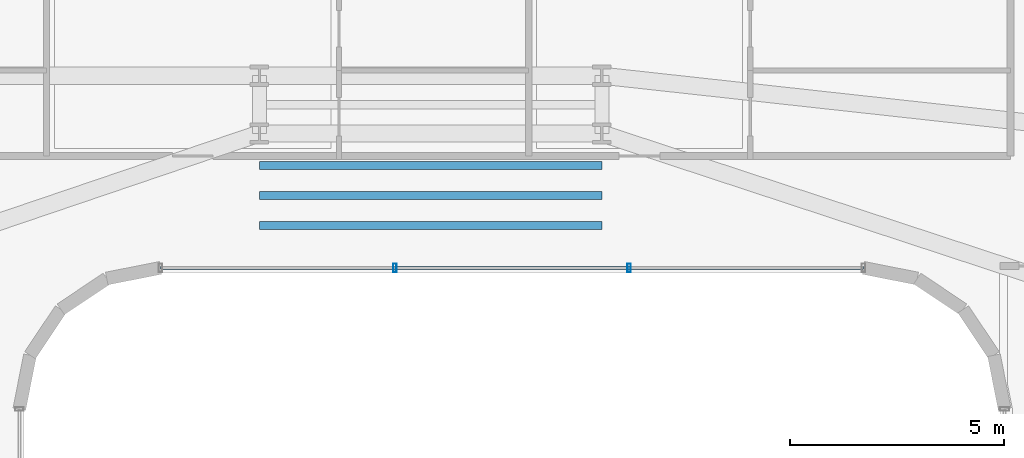
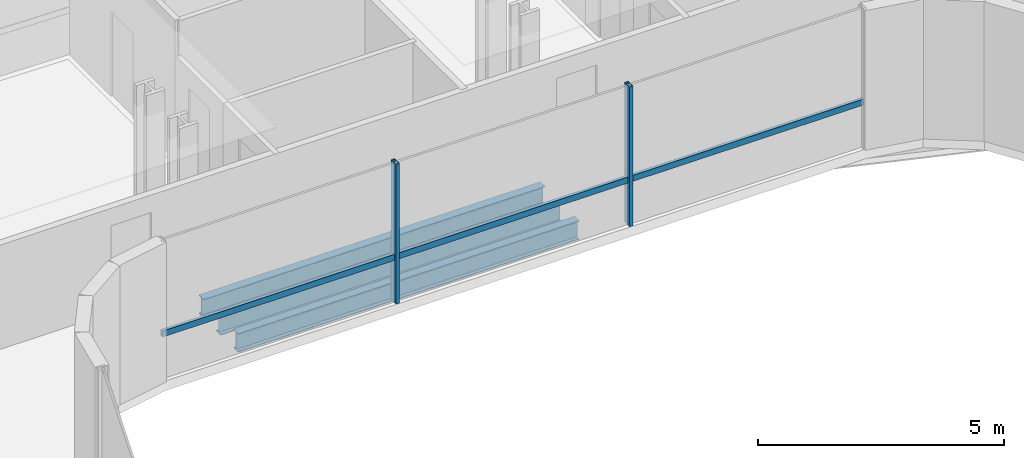
# One storey, part 16 of 42: 3 beams, 3 members, 1 element without a shape of its own.
"""IFC4 building model written with IfcOpenShell, lengths in metres."""

from ifc_helpers import new_model, si_unit, direction, frame, origin, origin_2d, place, context, subcontext, project, spatial, hollow_rectangle, i_section, extrude, source, transform, mapped, material, material_profile, profile_set, type_object, element, aggregate, save


model = new_model("IFC4")

# Units and contexts
model_context = context("Model", 3, precision=1e-05, world=origin(), true_north=direction((0.0, 1.0)))
body_context = subcontext(model_context, "Body", "Model", "MODEL_VIEW")
ifc_project = project(units=[si_unit("LENGTHUNIT", "METRE"), si_unit("AREAUNIT", "SQUARE_METRE"), si_unit("VOLUMEUNIT", "CUBIC_METRE"), si_unit("PLANEANGLEUNIT", "RADIAN"), si_unit("MASSUNIT", "GRAM", prefix="KILO")], contexts=[model_context])

# Site, building, storey
site_placement = place(None, origin())
site = spatial("IfcSite", under=ifc_project, at=site_placement, CompositionType="ELEMENT")
building_placement = place(site_placement, origin())
building = spatial("IfcBuilding", under=site, at=building_placement, Name="Valdorenza Pilgrim Sanctuary Tower", CompositionType="ELEMENT")
storey_placement = place(building_placement, frame((0.0, 0.0, 55.60009765625)))
storey = spatial("IfcBuildingStorey", under=building, at=storey_placement, Name="L13", CompositionType="ELEMENT", Elevation=55.60009765625)

# Beams
ifc_material_1 = material(Name="Steel ASTM A992 Grade 50", Category="steel")
ifc_material_profile_1 = material_profile(ifc_material_1, i_section(OverallWidth=0.193115234375, OverallDepth=0.466064453125, WebThickness=0.011474609375, FlangeThickness=0.01904296875, at=origin_2d()), Name="W18X65")
ifc_profile_set_1 = profile_set([ifc_material_profile_1], Name="Steel ASTM A992 Grade 50")
beam_type = type_object("IfcBeamType", Name="STR-BM-JST-W18A", PredefinedType="JOIST", material=ifc_profile_set_1)
shared_shape_1 = source(origin(), body_context, "Body", "SweptSolid", [
    extrude(i_section(OverallWidth=0.193115234375, OverallDepth=0.466064453125, WebThickness=0.011474609375, FlangeThickness=0.01904296875, at=origin_2d()), origin(), (0.0, 0.0, 1.0), 8.0),
])
for number, where, z_axis, x_axis, name in (
    (1, (-4.0, 11.300048828125, -0.47314453125), (1.0, 0.0, 0.0), (0.0, 1.0, 0.0), "L13 Knuckle Composite Joist JST-KNK-1"),
    (2, (-4.0, 12.0, -0.47314453125), (1.0, 0.0, 0.0), (0.0, 1.0, 0.0), "L13 Knuckle Composite Joist JST-KNK-2"),
    (3, (-4.0, 12.699951171875, -0.47314453125), (1.0, 0.0, 0.0), (0.0, 1.0, 0.0), "L13 Knuckle Composite Joist JST-KNK-3"),
):
    element("IfcBeam", number, at=place(storey_placement, frame(where, z_axis=z_axis, x_axis=x_axis)), inside=storey, type_object=beam_type, Name=name, PredefinedType="JOIST", context=body_context, shape_type="MappedRepresentation", body=[
        mapped(shared_shape_1, transform((0.0, 0.0, 0.0), x_axis=(1.0, 0.0, 0.0), y_axis=(0.0, 1.0, 0.0), z_axis=(0.0, 0.0, 1.0), scale=1.0)),
    ])

# Curtain wall, members
ifc_material_2 = material(Name="Curtain-wall IGU glazing", Category="glass")
curtain_wall_type = type_object("IfcCurtainWallType", Name="CW-SYS-02", PredefinedType="NOTDEFINED", material=ifc_material_2)
curtain_wall_placement = place(storey_placement, origin())
curtain_wall = element("IfcCurtainWall", 4, at=curtain_wall_placement, inside=storey, type_object=curtain_wall_type, Name="L13 Curtain Wall CW-L13-1-36", PredefinedType="NOTDEFINED")
ifc_material_3 = material(Name="Anodised aluminium AW-6060", Category="aluminium")
ifc_material_profile_2 = material_profile(ifc_material_3, hollow_rectangle(XDim=0.0849609375, YDim=0.199951171875, WallThickness=0.0048828125, at=origin_2d()), Name="ALU-M 200x85x5")
ifc_profile_set_2 = profile_set([ifc_material_profile_2], Name="Anodised aluminium AW-6060")
member_type_1 = type_object("IfcMemberType", Name="CW-MUL-02", PredefinedType="MULLION", material=ifc_profile_set_2)
shared_shape_2 = source(origin(), body_context, "Body", "SweptSolid", [
    extrude(hollow_rectangle(XDim=0.0849609375, YDim=0.199951171875, WallThickness=0.0048828125, at=origin_2d()), origin(), (0.0, 0.0, 1.0), 3.4599609375),
])
member_1_placement = place(storey_placement, frame((4.636962890625, 10.31005859375, 0.0), z_axis=(0.0, 0.0, 1.0), x_axis=(-1.0, 0.0, 0.0)))
member_1 = element("IfcMember", 5, at=member_1_placement, type_object=member_type_1, Name="CW-L13-1-36 Mullion 2", PredefinedType="MULLION", context=body_context, shape_type="MappedRepresentation", body=[
    mapped(shared_shape_2, transform((0.0, 0.0, 0.0), x_axis=(1.0, 0.0, 0.0), y_axis=(0.0, 1.0, 0.0), z_axis=(0.0, 0.0, 1.0), scale=1.0)),
])
member_2_placement = place(storey_placement, frame((-0.8369140625, 10.31005859375, 0.0), z_axis=(0.0, 0.0, 1.0), x_axis=(-1.0, 0.0, 0.0)))
member_2 = element("IfcMember", 6, at=member_2_placement, type_object=member_type_1, Name="CW-L13-1-36 Mullion 3", PredefinedType="MULLION", context=body_context, shape_type="MappedRepresentation", body=[
    mapped(shared_shape_2, transform((0.0, 0.0, 0.0), x_axis=(1.0, 0.0, 0.0), y_axis=(0.0, 1.0, 0.0), z_axis=(0.0, 0.0, 1.0), scale=1.0)),
])
ifc_material_profile_3 = material_profile(ifc_material_3, hollow_rectangle(XDim=0.074951171875, YDim=0.14990234375, WallThickness=0.00390625, at=origin_2d()), Name="ALU-T 150x75x4")
ifc_profile_set_3 = profile_set([ifc_material_profile_3], Name="Anodised aluminium AW-6060")
member_type_2 = type_object("IfcMemberType", Name="CW-TRN-02", PredefinedType="USERDEFINED", material=ifc_profile_set_3)
shared_shape_3 = source(origin(), body_context, "Body", "SweptSolid", [
    extrude(hollow_rectangle(XDim=0.074951171875, YDim=0.14990234375, WallThickness=0.00390625, at=origin_2d()), origin(), (0.0, 0.0, 1.0), 16.421630859375),
])
member_3_placement = place(storey_placement, frame((10.11083984375, 10.31005859375, 1.119873046875), z_axis=(-1.0, 0.0, 0.0), x_axis=(0.0, -1.0, 0.0)))
member_3 = element("IfcMember", 7, at=member_3_placement, type_object=member_type_2, Name="CW-L13-1-36 Transom 1", ObjectType="TRANSOM", PredefinedType="USERDEFINED", context=body_context, shape_type="MappedRepresentation", body=[
    mapped(shared_shape_3, transform((0.0, 0.0, 0.0), x_axis=(1.0, 0.0, 0.0), y_axis=(0.0, 1.0, 0.0), z_axis=(0.0, 0.0, 1.0), scale=1.0)),
])
aggregate(curtain_wall, [member_1, member_2, member_3])

save(model, "model.ifc")
